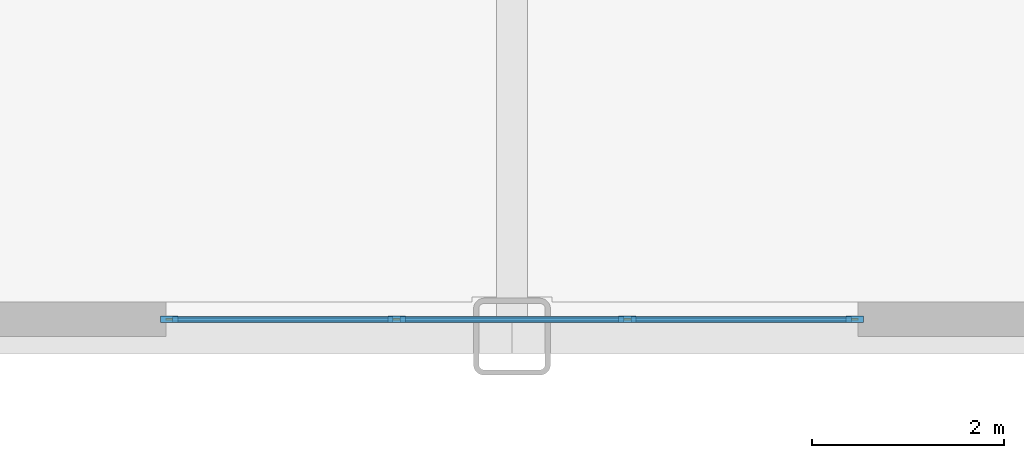
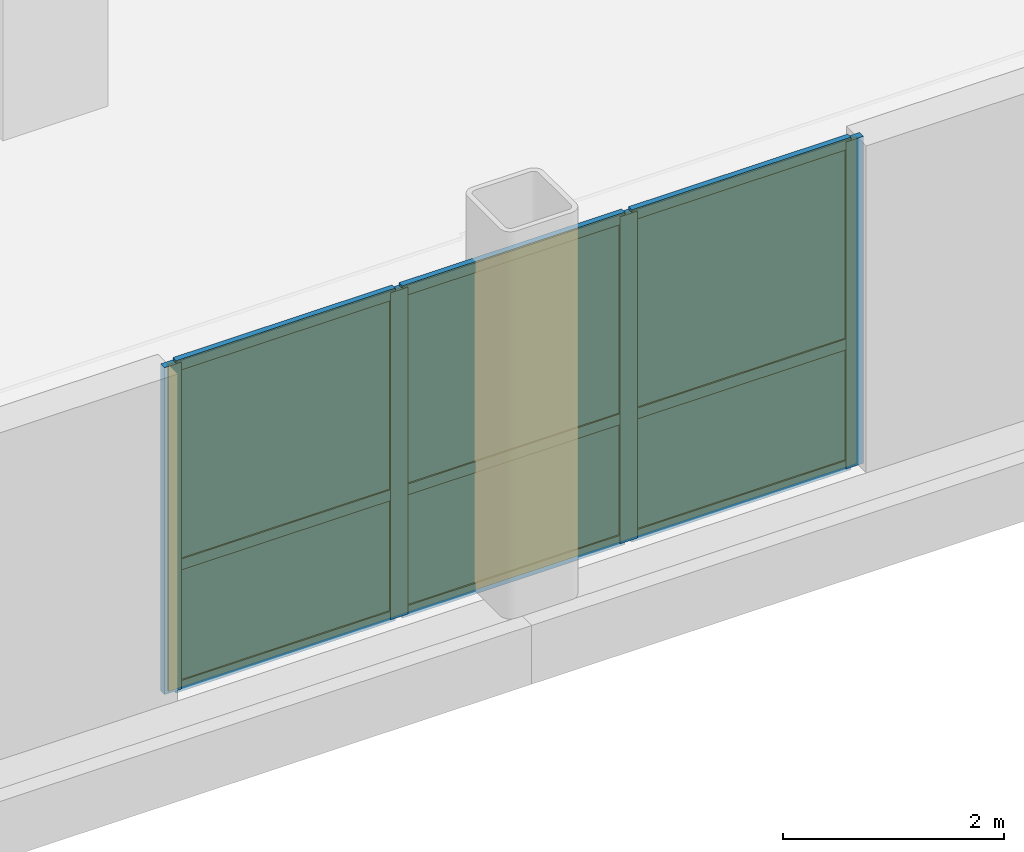
# One storey, part 8 of 15: 13 members, 6 plates, 1 curtain wall.
"""IFC4 building model written with IfcOpenShell, lengths in metres."""

from ifc_helpers import new_model, si_unit, direction, frame, frame_2d, origin, origin_2d, place, context, subcontext, project, spatial, rectangle, extrude, source, transform, mapped, material, layer, layer_set, material_profile, profile_set, type_object, type_shapes, element, aggregate, save


model = new_model("IFC4")

# Units and contexts
model_context = context("Model", 3, precision=1e-05, world=origin(), true_north=direction((0.0, 1.0)))
body_context = subcontext(model_context, "Body", "Model", "MODEL_VIEW")
ifc_project = project(units=[si_unit("LENGTHUNIT", "METRE"), si_unit("AREAUNIT", "SQUARE_METRE"), si_unit("VOLUMEUNIT", "CUBIC_METRE"), si_unit("PLANEANGLEUNIT", "RADIAN"), si_unit("MASSUNIT", "GRAM", prefix="KILO")], contexts=[model_context])

# Member
ifc_material_1 = material(Name="Anodised aluminium 6063-T6", Category="aluminium")
ifc_material_profile_1 = material_profile(ifc_material_1, rectangle(XDim=0.070068359375, YDim=0.179931640625, at=origin_2d()), Name="ALU-MULL-70x180")
ifc_profile_set_1 = profile_set([ifc_material_profile_1], Name="Anodised aluminium 6063-T6")
member_type_1 = type_object("IfcMemberType", Name="CWM-2", PredefinedType="MULLION", material=ifc_profile_set_1)
site_placement = place(None, origin())
building_placement = place(site_placement, origin())
storey_placement = place(building_placement, frame((0.0, 0.0, 9.199951171875)))
member_1_placement = place(storey_placement, frame((-22.56494140625, -25.820068359375, 0.0), z_axis=(0.0, 0.0, 1.0), x_axis=(0.0, 1.0, 0.0)))
member_1 = element("IfcMember", 1, at=member_1_placement, type_object=member_type_1, Name="CWS-2 mullion 1", PredefinedType="MULLION", context=body_context, shape_type="SweptSolid", body=[
    extrude(rectangle(XDim=0.070068359375, YDim=0.179931640625, at=origin_2d()), origin(), (0.0, 0.0, 1.0), 3.614990234375),
])

member_2_placement = place(storey_placement, frame((-20.199951171875, -25.820068359375, 0.0), z_axis=(0.0, 0.0, 1.0), x_axis=(0.0, 1.0, 0.0)))
member_2 = element("IfcMember", 2, at=member_2_placement, type_object=member_type_1, Name="CWS-2 mullion 2", PredefinedType="MULLION", context=body_context, shape_type="SweptSolid", body=[
    extrude(rectangle(XDim=0.070068359375, YDim=0.179931640625, at=origin_2d()), origin(), (0.0, 0.0, 1.0), 3.614990234375),
])

member_3_placement = place(storey_placement, frame((-17.800048828125, -25.820068359375, 0.0), z_axis=(0.0, 0.0, 1.0), x_axis=(0.0, 1.0, 0.0)))
member_3 = element("IfcMember", 3, at=member_3_placement, type_object=member_type_1, Name="CWS-2 mullion 3", PredefinedType="MULLION", context=body_context, shape_type="SweptSolid", body=[
    extrude(rectangle(XDim=0.070068359375, YDim=0.179931640625, at=origin_2d()), origin(), (0.0, 0.0, 1.0), 3.614990234375),
])

member_4_placement = place(storey_placement, frame((-15.43505859375, -25.820068359375, 0.0), z_axis=(0.0, 0.0, 1.0), x_axis=(0.0, 1.0, 0.0)))
member_4 = element("IfcMember", 4, at=member_4_placement, type_object=member_type_1, Name="CWS-2 mullion 4", PredefinedType="MULLION", context=body_context, shape_type="SweptSolid", body=[
    extrude(rectangle(XDim=0.070068359375, YDim=0.179931640625, at=origin_2d()), origin(), (0.0, 0.0, 1.0), 3.614990234375),
])

ifc_material_profile_2 = material_profile(ifc_material_1, rectangle(XDim=0.06005859375, YDim=0.1201171875, at=origin_2d()), Name="ALU-TRAN-60x120")
ifc_profile_set_2 = profile_set([ifc_material_profile_2], Name="Anodised aluminium 6063-T6")
member_type_2 = type_object("IfcMemberType", Name="CWT-2", PredefinedType="USERDEFINED", material=ifc_profile_set_2)
member_5_placement = place(storey_placement, frame((-22.530029296875, -25.820068359375, 0.030029296875), z_axis=(1.0, 0.0, 0.0), x_axis=(0.0, 1.0, 0.0)))
member_5 = element("IfcMember", 5, at=member_5_placement, type_object=member_type_2, Name="CWS-2 transom 1.1", ObjectType="TRANSOM", PredefinedType="USERDEFINED", context=body_context, shape_type="SweptSolid", body=[
    extrude(rectangle(XDim=0.06005859375, YDim=0.1201171875, at=origin_2d()), origin(), (0.0, 0.0, 1.0), 2.294921875),
])

member_6_placement = place(storey_placement, frame((-22.530029296875, -25.820068359375, 1.373779296875), z_axis=(1.0, 0.0, 0.0), x_axis=(0.0, 1.0, 0.0)))
member_6 = element("IfcMember", 6, at=member_6_placement, type_object=member_type_2, Name="CWS-2 transom 1.2", ObjectType="TRANSOM", PredefinedType="USERDEFINED", context=body_context, shape_type="SweptSolid", body=[
    extrude(rectangle(XDim=0.06005859375, YDim=0.1201171875, at=origin_2d()), origin(), (0.0, 0.0, 1.0), 2.294921875),
])

member_7_placement = place(storey_placement, frame((-22.530029296875, -25.820068359375, 3.5849609375), z_axis=(1.0, 0.0, 0.0), x_axis=(0.0, 1.0, 0.0)))
member_7 = element("IfcMember", 7, at=member_7_placement, type_object=member_type_2, Name="CWS-2 transom 1.3", ObjectType="TRANSOM", PredefinedType="USERDEFINED", context=body_context, shape_type="SweptSolid", body=[
    extrude(rectangle(XDim=0.06005859375, YDim=0.1201171875, at=origin_2d()), origin(), (0.0, 0.0, 1.0), 2.294921875),
])

member_8_placement = place(storey_placement, frame((-20.1650390625, -25.820068359375, 0.030029296875), z_axis=(1.0, 0.0, 0.0), x_axis=(0.0, 1.0, 0.0)))
member_8 = element("IfcMember", 8, at=member_8_placement, type_object=member_type_2, Name="CWS-2 transom 2.1", ObjectType="TRANSOM", PredefinedType="USERDEFINED", context=body_context, shape_type="SweptSolid", body=[
    extrude(rectangle(XDim=0.06005859375, YDim=0.1201171875, at=origin_2d()), origin(), (0.0, 0.0, 1.0), 2.330078125),
])

member_9_placement = place(storey_placement, frame((-20.1650390625, -25.820068359375, 1.373779296875), z_axis=(1.0, 0.0, 0.0), x_axis=(0.0, 1.0, 0.0)))
member_9 = element("IfcMember", 9, at=member_9_placement, type_object=member_type_2, Name="CWS-2 transom 2.2", ObjectType="TRANSOM", PredefinedType="USERDEFINED", context=body_context, shape_type="SweptSolid", body=[
    extrude(rectangle(XDim=0.06005859375, YDim=0.1201171875, at=origin_2d()), origin(), (0.0, 0.0, 1.0), 2.330078125),
])

member_10_placement = place(storey_placement, frame((-20.1650390625, -25.820068359375, 3.5849609375), z_axis=(1.0, 0.0, 0.0), x_axis=(0.0, 1.0, 0.0)))
member_10 = element("IfcMember", 10, at=member_10_placement, type_object=member_type_2, Name="CWS-2 transom 2.3", ObjectType="TRANSOM", PredefinedType="USERDEFINED", context=body_context, shape_type="SweptSolid", body=[
    extrude(rectangle(XDim=0.06005859375, YDim=0.1201171875, at=origin_2d()), origin(), (0.0, 0.0, 1.0), 2.330078125),
])

member_11_placement = place(storey_placement, frame((-17.764892578125, -25.820068359375, 0.030029296875), z_axis=(1.0, 0.0, 0.0), x_axis=(0.0, 1.0, 0.0)))
member_11 = element("IfcMember", 11, at=member_11_placement, type_object=member_type_2, Name="CWS-2 transom 3.1", ObjectType="TRANSOM", PredefinedType="USERDEFINED", context=body_context, shape_type="SweptSolid", body=[
    extrude(rectangle(XDim=0.06005859375, YDim=0.1201171875, at=origin_2d()), origin(), (0.0, 0.0, 1.0), 2.294921875),
])

member_12_placement = place(storey_placement, frame((-17.764892578125, -25.820068359375, 1.373779296875), z_axis=(1.0, 0.0, 0.0), x_axis=(0.0, 1.0, 0.0)))
member_12 = element("IfcMember", 12, at=member_12_placement, type_object=member_type_2, Name="CWS-2 transom 3.2", ObjectType="TRANSOM", PredefinedType="USERDEFINED", context=body_context, shape_type="SweptSolid", body=[
    extrude(rectangle(XDim=0.06005859375, YDim=0.1201171875, at=origin_2d()), origin(), (0.0, 0.0, 1.0), 2.294921875),
])

member_13_placement = place(storey_placement, frame((-17.764892578125, -25.820068359375, 3.5849609375), z_axis=(1.0, 0.0, 0.0), x_axis=(0.0, 1.0, 0.0)))
member_13 = element("IfcMember", 13, at=member_13_placement, type_object=member_type_2, Name="CWS-2 transom 3.3", ObjectType="TRANSOM", PredefinedType="USERDEFINED", context=body_context, shape_type="SweptSolid", body=[
    extrude(rectangle(XDim=0.06005859375, YDim=0.1201171875, at=origin_2d()), origin(), (0.0, 0.0, 1.0), 2.294921875),
])

# Plate
ifc_material_2 = material(Name="Insulated solar-control glass", Category="glass")
ifc_layer_1 = layer(ifc_material_2, 0.030029296875, Name="CWP-2")
ifc_layer_set_1 = layer_set([ifc_layer_1], Name="Insulated solar-control glass")
plate_type = type_object("IfcPlateType", Name="CWP-2", PredefinedType="CURTAIN_PANEL", material=ifc_layer_set_1)
shared_shape_1 = source(origin(), body_context, "Body", "SweptSolid", [
    extrude(rectangle(XDim=2.294921875, YDim=0.030029296875, at=origin_2d()), origin(), (0.0, 0.0, 1.0), 1.28369140625),
])
plate_1_placement = place(storey_placement, frame((-21.382568359375, -25.820068359375, 0.06005859375), z_axis=(0.0, 0.0, 1.0), x_axis=(1.0, 0.0, 0.0)))
plate_1 = element("IfcPlate", 14, at=plate_1_placement, type_object=plate_type, Name="CWS-2 panel 1.1", PredefinedType="CURTAIN_PANEL", context=body_context, shape_type="MappedRepresentation", body=[
    mapped(shared_shape_1, transform((0.0, 0.0, 0.0), scale=1.0)),
])

plate_2_placement = place(storey_placement, frame((-16.617431640625, -25.820068359375, 0.06005859375), z_axis=(0.0, 0.0, 1.0), x_axis=(1.0, 0.0, 0.0)))
plate_2 = element("IfcPlate", 15, at=plate_2_placement, type_object=plate_type, Name="CWS-2 panel 3.1", PredefinedType="CURTAIN_PANEL", context=body_context, shape_type="MappedRepresentation", body=[
    mapped(shared_shape_1, transform((0.0, 0.0, 0.0), scale=1.0)),
])

shared_shape_2 = source(origin(), body_context, "Body", "SweptSolid", [
    extrude(rectangle(XDim=2.294921875, YDim=0.030029296875, at=origin_2d()), origin(), (0.0, 0.0, 1.0), 2.1513671875),
])
plate_3_placement = place(storey_placement, frame((-21.382568359375, -25.820068359375, 1.40380859375), z_axis=(0.0, 0.0, 1.0), x_axis=(1.0, 0.0, 0.0)))
plate_3 = element("IfcPlate", 16, at=plate_3_placement, type_object=plate_type, Name="CWS-2 panel 1.2", PredefinedType="CURTAIN_PANEL", context=body_context, shape_type="MappedRepresentation", body=[
    mapped(shared_shape_2, transform((0.0, 0.0, 0.0), scale=1.0)),
])

plate_4_placement = place(storey_placement, frame((-16.617431640625, -25.820068359375, 1.40380859375), z_axis=(0.0, 0.0, 1.0), x_axis=(1.0, 0.0, 0.0)))
plate_4 = element("IfcPlate", 17, at=plate_4_placement, type_object=plate_type, Name="CWS-2 panel 3.2", PredefinedType="CURTAIN_PANEL", context=body_context, shape_type="MappedRepresentation", body=[
    mapped(shared_shape_2, transform((0.0, 0.0, 0.0), scale=1.0)),
])

shared_shape_3 = source(origin(), body_context, "Body", "SweptSolid", [
    extrude(rectangle(XDim=2.330078125, YDim=0.030029296875, at=origin_2d()), origin(), (0.0, 0.0, 1.0), 1.28369140625),
])
plate_5_placement = place(storey_placement, frame((-19.0, -25.820068359375, 0.06005859375), z_axis=(0.0, 0.0, 1.0), x_axis=(1.0, 0.0, 0.0)))
plate_5 = element("IfcPlate", 18, at=plate_5_placement, type_object=plate_type, Name="CWS-2 panel 2.1", PredefinedType="CURTAIN_PANEL", context=body_context, shape_type="MappedRepresentation", body=[
    mapped(shared_shape_3, transform((0.0, 0.0, 0.0), scale=1.0)),
])

shared_shape_4 = source(origin(), body_context, "Body", "SweptSolid", [
    extrude(rectangle(XDim=2.330078125, YDim=0.030029296875, at=origin_2d()), origin(), (0.0, 0.0, 1.0), 2.1513671875),
])
type_shapes(plate_type, [shared_shape_1, shared_shape_2, shared_shape_3, shared_shape_4])
plate_6_placement = place(storey_placement, frame((-19.0, -25.820068359375, 1.40380859375), z_axis=(0.0, 0.0, 1.0), x_axis=(1.0, 0.0, 0.0)))
plate_6 = element("IfcPlate", 19, at=plate_6_placement, type_object=plate_type, Name="CWS-2 panel 2.2", PredefinedType="CURTAIN_PANEL", context=body_context, shape_type="MappedRepresentation", body=[
    mapped(shared_shape_4, transform((0.0, 0.0, 0.0), scale=1.0)),
])

# Site, building, storey
site = spatial("IfcSite", under=ifc_project, at=site_placement, CompositionType="ELEMENT")
building = spatial("IfcBuilding", under=site, at=building_placement, Name="Nuvemarco Arch Tower", CompositionType="ELEMENT")
storey = spatial("IfcBuildingStorey", under=building, at=storey_placement, Name="L02", CompositionType="ELEMENT", Elevation=9.199951171875)

# Curtain wall
ifc_layer_2 = layer(ifc_material_2, 0.179931640625, Name="CW-SYS-2")
ifc_layer_set_2 = layer_set([ifc_layer_2], Name="Insulated solar-control glass")
curtain_wall_type = type_object("IfcCurtainWallType", Name="CW-SYS-2", PredefinedType="NOTDEFINED", material=ifc_layer_set_2)
curtain_wall_placement = place(storey_placement, frame((-22.60009765625, -25.820068359375, 0.0), z_axis=(0.0, 0.0, 1.0), x_axis=(1.0, 0.0, 0.0)))
curtain_wall = element("IfcCurtainWall", 20, at=curtain_wall_placement, inside=storey, type_object=curtain_wall_type, Name="L02 curtain wall CWS-2", PredefinedType="NOTDEFINED", context=body_context, shape_type="SweptSolid", body=[
    extrude(rectangle(XDim=7.2001953125, YDim=0.02001953125, at=frame_2d((3.60009765625, 0.0))), origin(), (0.0, 0.0, 1.0), 3.614990234375),
])

aggregate(curtain_wall, [member_1, member_2, member_3, member_4, member_5, member_6, member_7, plate_1, plate_3, member_8, member_9, member_10, plate_5, plate_6, member_11, member_12, member_13, plate_2, plate_4])

save(model, "model.ifc")
